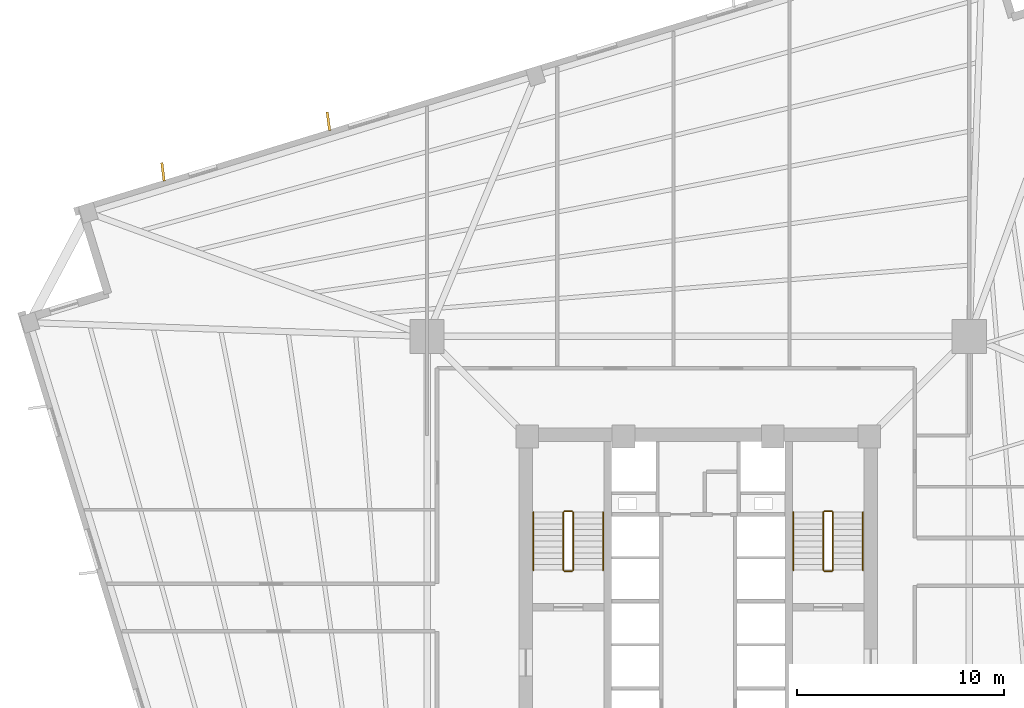
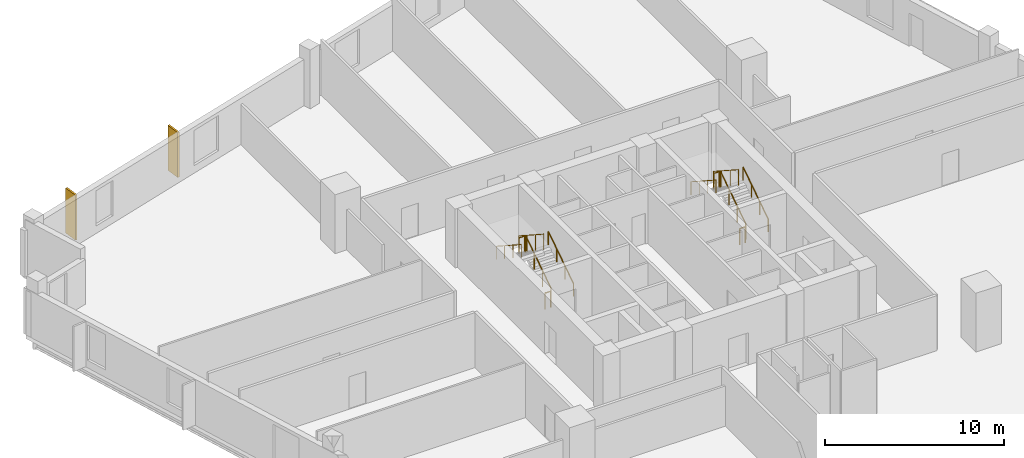
# One storey, part 8 of 9: 12 railings, 2 coverings.
"""IFC4 building model written with IfcOpenShell, lengths in metres."""

import ifcopenshell
import ifcopenshell.guid

model = None  # the IFC model being written
_history = None  # IfcOwnerHistory: only IFC2X3 demands one
_inside = {}  # id of a spatial element -> (the spatial element, [elements in it])
_under = {}  # id of a project, library or spatial element -> (it, [spatial elements below it])
_declared = {}  # id of a project -> (the project, [libraries it declares])
_typed = {}  # id of a type object -> (the type object, [elements of that type])
_made_of = {}  # id of a material, layer set ... -> (it, [elements and type objects made of it])


def new_model(schema):
    """Start an empty IFC model of exactly this schema.

    Asked for "IFC4X3", IfcOpenShell would pick the latest addendum, in which some entities
    have other attributes; the version numbers below select the first issue.
    IFC2X3 requires an IfcOwnerHistory on every rooted entity: one is made here for all.
    """
    global model, _history
    if schema == "IFC4X3":
        model = ifcopenshell.file(schema_version=(4, 3, 0, 0))
    else:
        model = ifcopenshell.file(schema=schema)
    _inside.clear()
    _under.clear()
    _declared.clear()
    _typed.clear()
    _made_of.clear()
    _history = None
    if model.schema == "IFC2X3":
        org = make("IfcOrganization", Name="unknown")
        user = make(
            "IfcPersonAndOrganization",
            ThePerson=make("IfcPerson", FamilyName="unknown"),
            TheOrganization=org,
        )
        app = make(
            "IfcApplication",
            ApplicationDeveloper=org,
            Version="unknown",
            ApplicationFullName="unknown",
            ApplicationIdentifier="unknown",
        )
        _history = make(
            "IfcOwnerHistory",
            OwningUser=user,
            OwningApplication=app,
            ChangeAction="ADDED",
            CreationDate=0,
        )
    return model


def make(cls, **values):
    """One entity of the class cls with the attributes given. An attribute that is None is left unset."""
    return model.create_entity(
        cls, **{name: value for name, value in values.items() if value is not None}
    )


def rooted(cls, **values):
    """An entity with a GlobalId (a new one), such as an element, a storey or a relation."""
    return make(cls, GlobalId=ifcopenshell.guid.new(), OwnerHistory=_history, **values)


def si_unit(unit_type, name, prefix=None):
    """IfcSIUnit, for example si_unit("LENGTHUNIT", "METRE", prefix="MILLI")."""
    return make("IfcSIUnit", UnitType=unit_type, Prefix=prefix, Name=name)


def assignment(units):
    """IfcUnitAssignment: the units of a project."""
    return None if units is None else make("IfcUnitAssignment", Units=units)


def point(xyz):
    """IfcCartesianPoint."""
    return None if xyz is None else make("IfcCartesianPoint", Coordinates=xyz)


def direction(xyz):
    """IfcDirection."""
    return None if xyz is None else make("IfcDirection", DirectionRatios=xyz)


def frame(location, z_axis=None, x_axis=None):
    """IfcAxis2Placement3D, a coordinate frame: its origin and axes. An axis left out is left unset."""
    return make(
        "IfcAxis2Placement3D",
        Location=point(location),
        Axis=direction(z_axis),
        RefDirection=direction(x_axis),
    )


def frame_2d(location, x_axis=None):
    """IfcAxis2Placement2D, a coordinate frame in the plane: its origin and x axis."""
    return make(
        "IfcAxis2Placement2D", Location=point(location), RefDirection=direction(x_axis)
    )


def origin():
    """The frame at (0, 0, 0) with its axes left unset."""
    return frame((0.0, 0.0, 0.0))


def origin_2d():
    """The frame at (0, 0) in the plane with its x axis left unset."""
    return frame_2d((0.0, 0.0))


def place(relative_to, where):
    """IfcLocalPlacement: puts the frame where relative to a parent placement (None: the world)."""
    return make(
        "IfcLocalPlacement", PlacementRelTo=relative_to, RelativePlacement=where
    )


def context(
    kind, dimensions, precision=None, world=None, true_north=None, identifier=None
):
    """IfcGeometricRepresentationContext, for example the 3D "Model" context."""
    return make(
        "IfcGeometricRepresentationContext",
        ContextIdentifier=identifier,
        ContextType=kind,
        CoordinateSpaceDimension=dimensions,
        Precision=precision,
        WorldCoordinateSystem=world,
        TrueNorth=true_north,
    )


def subcontext(parent, identifier, kind, view, scale=None):
    """IfcGeometricRepresentationSubContext, for example "Body" below "Model"."""
    return make(
        "IfcGeometricRepresentationSubContext",
        ContextIdentifier=identifier,
        ContextType=kind,
        ParentContext=parent,
        TargetScale=scale,
        TargetView=view,
    )


def project(units=None, contexts=None):
    """IfcProject with its units and contexts."""
    return rooted(
        "IfcProject",
        Name="project",
        RepresentationContexts=contexts,
        UnitsInContext=assignment(units),
    )


def spatial(cls, under=None, at=None, **own):
    """A site, building, storey or space (cls), placed at a placement, below another one or the project."""
    s = rooted(cls, ObjectPlacement=at, **own)
    if under is not None:
        _under.setdefault(under.id(), (under, []))[1].append(s)
    return s


def profile(cls, at=None, kind="AREA", **sizes):
    """A parametric profile (cls). Its sizes go by their IFC names, for example OverallWidth=200.0."""
    return make(cls, ProfileType=kind, Position=at, **sizes)


def rectangle(**sizes):
    """IfcRectangleProfileDef."""
    return profile("IfcRectangleProfileDef", **sizes)


def circle(**sizes):
    """IfcCircleProfileDef."""
    return profile("IfcCircleProfileDef", **sizes)


def extrude(swept, where, along, depth):
    """IfcExtrudedAreaSolid: the profile swept, set in the frame where, extruded along a direction by depth."""
    return make(
        "IfcExtrudedAreaSolid",
        SweptArea=swept,
        Position=where,
        ExtrudedDirection=direction(along),
        Depth=depth,
    )


def shape(context_of_items, identifier, shape_type, items):
    """IfcShapeRepresentation: the items that make up one representation, for example the "Body"."""
    return make(
        "IfcShapeRepresentation",
        ContextOfItems=context_of_items,
        RepresentationIdentifier=identifier,
        RepresentationType=shape_type,
        Items=items,
    )


def source(mapping_origin, context_of_items, identifier, shape_type, items):
    """IfcRepresentationMap: a shape defined once, which mapped items show again and again."""
    return make(
        "IfcRepresentationMap",
        MappingOrigin=mapping_origin,
        MappedRepresentation=shape(context_of_items, identifier, shape_type, items),
    )


def transform(
    local_origin,
    x_axis=None,
    y_axis=None,
    z_axis=None,
    scale=None,
    scale2=None,
    scale3=None,
    uniform=True,
):
    """IfcCartesianTransformationOperator3D, or its non-uniform kind. x_axis, y_axis, z_axis: its Axis1, 2, 3."""
    if uniform:
        return make(
            "IfcCartesianTransformationOperator3D",
            Axis1=direction(x_axis),
            Axis2=direction(y_axis),
            LocalOrigin=point(local_origin),
            Scale=scale,
            Axis3=direction(z_axis),
        )
    return make(
        "IfcCartesianTransformationOperator3DnonUniform",
        Axis1=direction(x_axis),
        Axis2=direction(y_axis),
        LocalOrigin=point(local_origin),
        Scale=scale,
        Axis3=direction(z_axis),
        Scale2=scale2,
        Scale3=scale3,
    )


def mapped(mapping_source, mapping_target):
    """IfcMappedItem: shows the shape of a source again, moved by a transform."""
    return make(
        "IfcMappedItem", MappingSource=mapping_source, MappingTarget=mapping_target
    )


def material(Name=None, Category=None):
    """IfcMaterial."""
    return make("IfcMaterial", Name=Name, Category=Category)


def layer(
    of_material, thickness, ventilated=None, Name=None, Category=None, Priority=None
):
    """IfcMaterialLayer: one layer of a wall or slab, of a material (None: an air gap)."""
    return make(
        "IfcMaterialLayer",
        Material=of_material,
        LayerThickness=thickness,
        IsVentilated=ventilated,
        Name=Name,
        Category=Category,
        Priority=Priority,
    )


def layer_set(layers, Name=None):
    """IfcMaterialLayerSet."""
    return make("IfcMaterialLayerSet", MaterialLayers=layers, LayerSetName=Name)


def made_of(thing, what):
    """Note that an element or type object is made of a material, layer set ...; save() writes the relation."""
    if what is not None:
        _made_of.setdefault(what.id(), (what, []))[1].append(thing)
    return thing


def type_object(cls, material=None, **own):
    """A type object (cls), such as IfcWallType, which elements share."""
    return made_of(rooted(cls, **own), material)


def element(
    cls,
    number,
    at=None,
    inside=None,
    cuts=None,
    type_object=None,
    material=None,
    context=None,
    identifier="Body",
    shape_type=None,
    held_by="IfcProductDefinitionShape",
    body=None,
    shapes=None,
    **own,
):
    """One element of the class cls, such as IfcWall. Its Tag is "e" and its number.

    at: its placement. inside: the storey or other place that contains it. cuts: it is an
    opening in that element (IfcRelVoidsElement). A single representation is given by context,
    identifier, shape_type and body (its items); several are given by shapes. held_by: the class
    of the entity that holds the representations. save() writes the other relations.
    """
    e = rooted(cls, Tag="e%d" % number, ObjectPlacement=at, **own)
    if body is not None:
        shapes = [shape(context, identifier, shape_type, body)]
    if shapes is not None:
        e.Representation = make(held_by, Representations=shapes)
    if inside is not None:
        _inside.setdefault(inside.id(), (inside, []))[1].append(e)
    if cuts is not None:
        rooted(
            "IfcRelVoidsElement", RelatingBuildingElement=cuts, RelatedOpeningElement=e
        )
    if type_object is not None:
        _typed.setdefault(type_object.id(), (type_object, []))[1].append(e)
    return made_of(e, material)


def aggregate(whole, parts):
    """IfcRelAggregates: a whole, such as a stair, and the parts it consists of."""
    return rooted("IfcRelAggregates", RelatingObject=whole, RelatedObjects=parts)


def save(model, path):
    """Write the relations noted so far, then the file.

    IfcRelAggregates (storeys below a building ...), IfcRelContainedInSpatialStructure (elements
    in a storey), IfcRelDefinesByType, IfcRelAssociatesMaterial and IfcRelDeclares: one each for
    every whole, place, type object, material and project.
    """
    for whole, parts in _under.values():
        aggregate(whole, parts)
    for where, things in _inside.values():
        rooted(
            "IfcRelContainedInSpatialStructure",
            RelatedElements=things,
            RelatingStructure=where,
        )
    for kind, things in _typed.values():
        rooted("IfcRelDefinesByType", RelatedObjects=things, RelatingType=kind)
    for what, things in _made_of.values():
        rooted("IfcRelAssociatesMaterial", RelatedObjects=things, RelatingMaterial=what)
    for by, libraries in _declared.values():
        rooted("IfcRelDeclares", RelatingContext=by, RelatedDefinitions=libraries)
    model.write(path)


model = new_model("IFC4")

# Units and contexts
model_context = context("Model", 3, precision=1e-05, world=origin(), true_north=direction((0.0, 1.0)))
body_context = subcontext(model_context, "Body", "Model", "MODEL_VIEW")
ifc_project = project(units=[si_unit("LENGTHUNIT", "METRE"), si_unit("AREAUNIT", "SQUARE_METRE"), si_unit("VOLUMEUNIT", "CUBIC_METRE"), si_unit("PLANEANGLEUNIT", "RADIAN"), si_unit("MASSUNIT", "GRAM", prefix="KILO"), si_unit("THERMODYNAMICTEMPERATUREUNIT", "KELVIN")], contexts=[model_context])

# Site, building, storey
site_placement = place(None, origin())
site = spatial("IfcSite", under=ifc_project, at=site_placement, CompositionType="ELEMENT")
building_placement = place(site_placement, origin())
building = spatial("IfcBuilding", under=site, at=building_placement, Name="Kosmvard Interchange Tower", CompositionType="ELEMENT")
storey_placement = place(building_placement, frame((0.0, 0.0, 83.199951171875)))
storey = spatial("IfcBuildingStorey", under=building, at=storey_placement, Name="L19", CompositionType="ELEMENT", Elevation=83.199951171875)

# Coverings
ifc_material_1 = material(Name="Architectural anodised aluminium", Category="aluminium")
ifc_layer = layer(ifc_material_1, 0.1201171875, Name="Architectural anodised aluminium")
ifc_layer_set = layer_set([ifc_layer], Name="Architectural anodised aluminium")
covering_type = type_object("IfcCoveringType", Name="Rotating Vertical Sun-Breaker Fin 900x120 Aluminium", PredefinedType="CLADDING", material=ifc_layer_set)
shared_shape_1 = source(origin(), body_context, "Body", "SweptSolid", [
    extrude(rectangle(XDim=0.89990234375, YDim=0.1201171875, at=origin_2d()), origin(), (0.0, 0.0, 1.0), 3.06005859375),
])
for number, where, z_axis, x_axis, name in (
    (1, (-17.841796875, 23.45849609375, 0.0400390625), (0.0, 0.0, 1.0), (-0.127237724904, 0.991872250525, 0.0), "L19 Rotating Vertical Sun-Breaker Fin 11"),
    (2, (-25.825439453125, 21.017822265625, 0.0400390625), (0.0, 0.0, 1.0), (-0.127237724904, 0.991872250525, 0.0), "L19 Rotating Vertical Sun-Breaker Fin 12"),
):
    element("IfcCovering", number, at=place(storey_placement, frame(where, z_axis=z_axis, x_axis=x_axis)), inside=storey, type_object=covering_type, Name=name, PredefinedType="CLADDING", context=body_context, shape_type="MappedRepresentation", body=[
        mapped(shared_shape_1, transform((0.0, 0.0, 0.0), scale=1.0)),
    ])

# Railings
ifc_material_2 = material(Name="Steel S355", Category="steel")
railing_type_1 = type_object("IfcRailingType", Name="Stair & Terrace Safety Guardrail 1100 Steel", PredefinedType="GUARDRAIL", material=ifc_material_2)
shared_shape_2 = source(origin(), body_context, "Body", "SweptSolid", [
    extrude(circle(Radius=0.02392578125, at=origin_2d()), frame((0.0, 0.0, 1.076171875), z_axis=(-1.0, 0.0, 0.0), x_axis=(0.0, -1.0, 0.0)), (0.0, 0.0, 1.0), 0.35986328125),
    extrude(circle(Radius=0.02099609375, at=origin_2d()), origin(), (0.0, 0.0, 1.0), 1.052001953125),
    extrude(circle(Radius=0.02099609375, at=origin_2d()), frame((-0.35986328125, 0.0, 0.0)), (0.0, 0.0, 1.0), 1.052001953125),
])
for number, where, name in (
    (3, (-6.090087890625, 4.64990234375, 2.0), "L19 ST-1 stair guard 2"),
    (4, (-6.090087890625, 1.75, 0.0), "L19 ST-1 stair guard 4"),
    (5, (6.449951171875, 4.64990234375, 2.0), "L19 ST-2 stair guard 2"),
    (6, (6.449951171875, 1.75, 0.0), "L19 ST-2 stair guard 4"),
):
    element("IfcRailing", number, at=place(storey_placement, frame(where)), inside=storey, type_object=railing_type_1, Name=name, PredefinedType="GUARDRAIL", context=body_context, shape_type="MappedRepresentation", body=[
        mapped(shared_shape_2, transform((0.0, 0.0, 0.0), scale=1.0)),
    ])
shared_shape_3 = source(origin(), body_context, "Body", "SweptSolid", [
    extrude(circle(Radius=0.02392578125, at=origin_2d()), frame((0.0, 0.0, 1.076171875), z_axis=(0.0, 0.838705829183, 0.544584733623), x_axis=(-1.0, 0.0, 0.0)), (0.0, 0.0, 1.0), 3.338623046875),
    extrude(circle(Radius=0.02099609375, at=origin_2d()), origin(), (0.0, 0.0, 1.0), 1.052001953125),
    extrude(circle(Radius=0.02099609375, at=origin_2d()), frame((0.0, 0.933349609375, 0.60595703125)), (0.0, 0.0, 1.0), 1.052001953125),
    extrude(circle(Radius=0.02099609375, at=origin_2d()), frame((0.0, 1.86669921875, 1.212158203125)), (0.0, 0.0, 1.0), 1.052001953125),
    extrude(circle(Radius=0.02099609375, at=origin_2d()), frame((0.0, 2.800048828125, 1.818115234375)), (0.0, 0.0, 1.0), 1.052001953125),
])
for number, where, name in (
    (7, (-6.0400390625, 1.800048828125, 0.181884765625), "L19 ST-1 stair guard 1"),
    (8, (6.5, 1.800048828125, 0.181884765625), "L19 ST-2 stair guard 1"),
):
    element("IfcRailing", number, at=place(storey_placement, frame(where)), inside=storey, type_object=railing_type_1, Name=name, PredefinedType="GUARDRAIL", context=body_context, shape_type="MappedRepresentation", body=[
        mapped(shared_shape_3, transform((0.0, 0.0, 0.0), scale=1.0)),
    ])
shared_shape_4 = source(origin(), body_context, "Body", "SweptSolid", [
    extrude(circle(Radius=0.02392578125, at=origin_2d()), frame((0.0, 0.0, 1.076171875), z_axis=(0.0, -0.838705829183, 0.544584733623), x_axis=(1.0, 0.0, 0.0)), (0.0, 0.0, 1.0), 3.338623046875),
    extrude(circle(Radius=0.02099609375, at=origin_2d()), origin(), (0.0, 0.0, 1.0), 1.052001953125),
    extrude(circle(Radius=0.02099609375, at=origin_2d()), frame((0.0, -0.933349609375, 0.60595703125)), (0.0, 0.0, 1.0), 1.052001953125),
    extrude(circle(Radius=0.02099609375, at=origin_2d()), frame((0.0, -1.86669921875, 1.212158203125)), (0.0, 0.0, 1.0), 1.052001953125),
    extrude(circle(Radius=0.02099609375, at=origin_2d()), frame((0.0, -2.800048828125, 1.818115234375)), (0.0, 0.0, 1.0), 1.052001953125),
])
for number, where, name in (
    (9, (-6.5, 4.60009765625, 2.181884765625), "L19 ST-1 stair guard 3"),
    (10, (6.0400390625, 4.60009765625, 2.181884765625), "L19 ST-2 stair guard 3"),
):
    element("IfcRailing", number, at=place(storey_placement, frame(where)), inside=storey, type_object=railing_type_1, Name=name, PredefinedType="GUARDRAIL", context=body_context, shape_type="MappedRepresentation", body=[
        mapped(shared_shape_4, transform((0.0, 0.0, 0.0), scale=1.0)),
    ])
railing_type_2 = type_object("IfcRailingType", Name="Wall-Mounted Stair Handrail 900 Steel", PredefinedType="HANDRAIL", material=ifc_material_2)
shared_shape_5 = source(origin(), body_context, "Body", "SweptSolid", [
    extrude(circle(Radius=0.02392578125, at=origin_2d()), frame((0.0, 0.0, 0.8759765625), z_axis=(0.0, 0.838705829183, 0.544584733623), x_axis=(-1.0, 0.0, 0.0)), (0.0, 0.0, 1.0), 3.338623046875),
    extrude(circle(Radius=0.02099609375, at=origin_2d()), origin(), (0.0, 0.0, 1.0), 0.851806640625),
    extrude(circle(Radius=0.02099609375, at=origin_2d()), frame((0.0, 0.933349609375, 0.60595703125)), (0.0, 0.0, 1.0), 0.851806640625),
    extrude(circle(Radius=0.02099609375, at=origin_2d()), frame((0.0, 1.86669921875, 1.212158203125)), (0.0, 0.0, 1.0), 0.851806640625),
    extrude(circle(Radius=0.02099609375, at=origin_2d()), frame((0.0, 2.800048828125, 1.818115234375)), (0.0, 0.0, 1.0), 0.851806640625),
])
for number, where, name in (
    (11, (-4.590087890625, 1.800048828125, 0.181884765625), "L19 ST-1 stair handrail 1"),
    (12, (7.949951171875, 1.800048828125, 0.181884765625), "L19 ST-2 stair handrail 1"),
):
    element("IfcRailing", number, at=place(storey_placement, frame(where)), inside=storey, type_object=railing_type_2, Name=name, PredefinedType="HANDRAIL", context=body_context, shape_type="MappedRepresentation", body=[
        mapped(shared_shape_5, transform((0.0, 0.0, 0.0), scale=1.0)),
    ])
shared_shape_6 = source(origin(), body_context, "Body", "SweptSolid", [
    extrude(circle(Radius=0.02392578125, at=origin_2d()), frame((0.0, 0.0, 0.8759765625), z_axis=(0.0, -0.838705829183, 0.544584733623), x_axis=(1.0, 0.0, 0.0)), (0.0, 0.0, 1.0), 3.338623046875),
    extrude(circle(Radius=0.02099609375, at=origin_2d()), origin(), (0.0, 0.0, 1.0), 0.851806640625),
    extrude(circle(Radius=0.02099609375, at=origin_2d()), frame((0.0, -0.933349609375, 0.60595703125)), (0.0, 0.0, 1.0), 0.851806640625),
    extrude(circle(Radius=0.02099609375, at=origin_2d()), frame((0.0, -1.86669921875, 1.212158203125)), (0.0, 0.0, 1.0), 0.851806640625),
    extrude(circle(Radius=0.02099609375, at=origin_2d()), frame((0.0, -2.800048828125, 1.818115234375)), (0.0, 0.0, 1.0), 0.851806640625),
])
for number, where, name in (
    (13, (-7.949951171875, 4.60009765625, 2.181884765625), "L19 ST-1 stair handrail 2"),
    (14, (4.590087890625, 4.60009765625, 2.181884765625), "L19 ST-2 stair handrail 2"),
):
    element("IfcRailing", number, at=place(storey_placement, frame(where)), inside=storey, type_object=railing_type_2, Name=name, PredefinedType="HANDRAIL", context=body_context, shape_type="MappedRepresentation", body=[
        mapped(shared_shape_6, transform((0.0, 0.0, 0.0), scale=1.0)),
    ])

save(model, "model.ifc")
